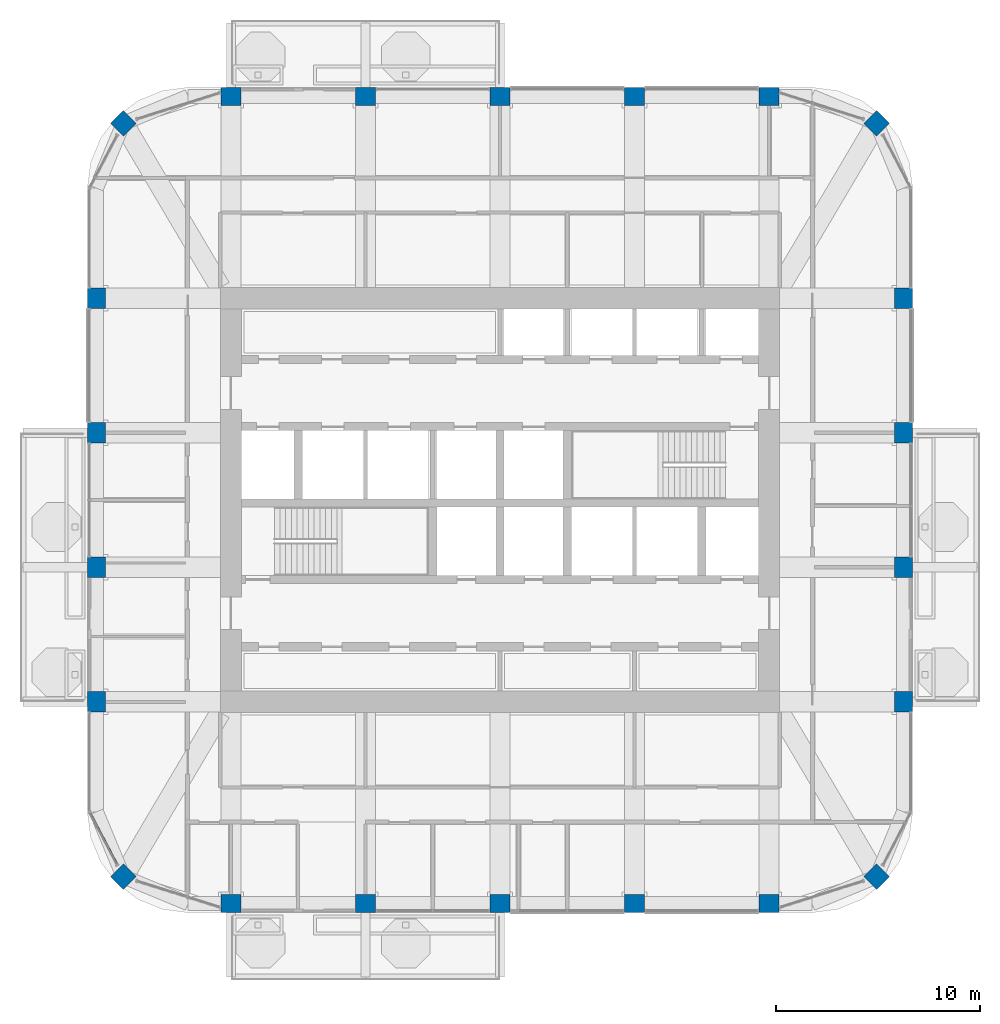
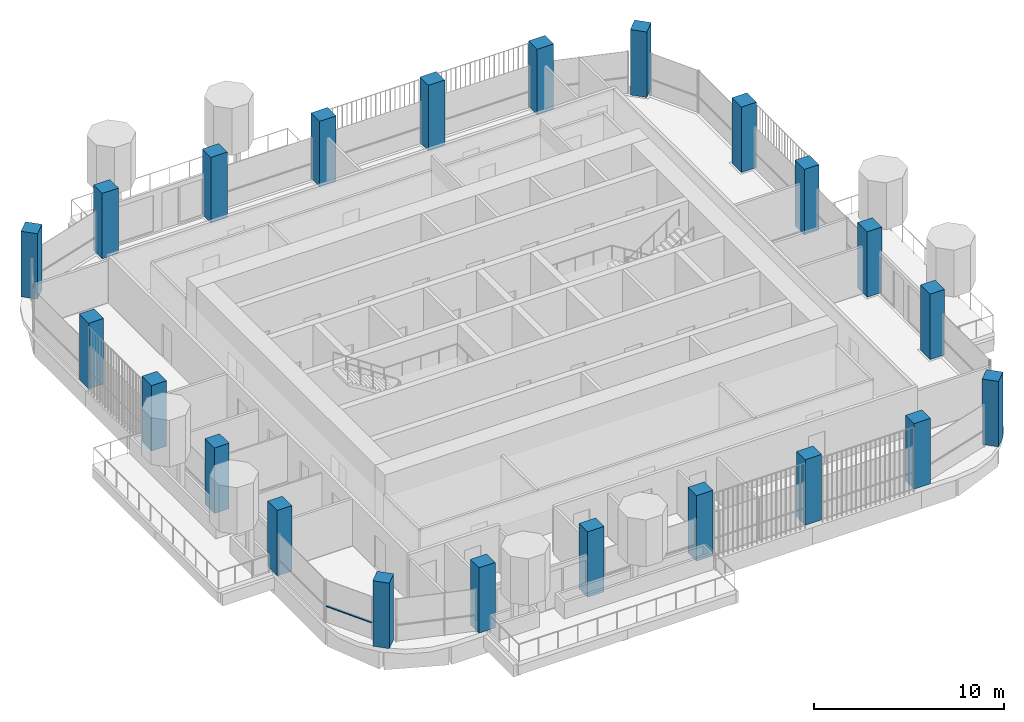
# One storey, part 1 of 19: 22 columns, 1 member, 1 element without a shape of its own.
"""IFC4 building model written with IfcOpenShell, lengths in metres."""

from ifc_helpers import new_model, si_unit, direction, frame, origin, origin_2d, place, context, subcontext, project, spatial, rectangle, extrude, material, material_profile, profile_set, type_object, element, aggregate, save


model = new_model("IFC4")

# Units and contexts
model_context = context("Model", 3, precision=1e-05, world=origin(), true_north=direction((0.0, 1.0)))
body_context = subcontext(model_context, "Body", "Model", "MODEL_VIEW")
ifc_project = project(units=[si_unit("LENGTHUNIT", "METRE"), si_unit("AREAUNIT", "SQUARE_METRE"), si_unit("VOLUMEUNIT", "CUBIC_METRE"), si_unit("PLANEANGLEUNIT", "RADIAN"), si_unit("MASSUNIT", "GRAM", prefix="KILO")], contexts=[model_context])

# Site, building, storey
site_placement = place(None, origin())
site = spatial("IfcSite", under=ifc_project, at=site_placement, CompositionType="ELEMENT")
building_placement = place(site_placement, origin())
building = spatial("IfcBuilding", under=site, at=building_placement, Name="Cobogo Forest Laboratory Tower", CompositionType="ELEMENT")
storey_placement = place(building_placement, frame((0.0, 0.0, 262.800048828125)))
storey = spatial("IfcBuildingStorey", under=building, at=storey_placement, Name="L60", CompositionType="ELEMENT", Elevation=262.800048828125)

# Columns
ifc_material_1 = material(Name="Concrete HA-50 (C50/60)", Category="concrete")
ifc_material_profile_1 = material_profile(ifc_material_1, rectangle(XDim=1.0, YDim=0.89990234375, at=origin_2d()), Name="RC 900x1000")
ifc_profile_set_1 = profile_set([ifc_material_profile_1], Name="Concrete HA-50 (C50/60)")
column_type_1 = type_object("IfcColumnType", Name="Blade column 900x1000", PredefinedType="COLUMN", material=ifc_profile_set_1)
for number, where, z_axis, x_axis, name in (
    (1, (13.199951171875, 3.300048828125, 0.0), (0.0, 0.0, 1.0), (1.0, 0.0, 0.0), "Column 3-A.1 L60"),
    (2, (19.800048828125, 3.300048828125, 0.0), (0.0, 0.0, 1.0), (1.0, 0.0, 0.0), "Column 4-A.1 L60"),
    (3, (26.39990234375, 3.300048828125, 0.0), (0.0, 0.0, 1.0), (1.0, 0.0, 0.0), "Column 5-A.1 L60"),
    (4, (33.0, 3.300048828125, 0.0), (0.0, 0.0, 1.0), (1.0, 0.0, 0.0), "Column 6-A.1 L60"),
    (5, (39.60009765625, 3.300048828125, 0.0), (0.0, 0.0, 1.0), (1.0, 0.0, 0.0), "Column 7-A.1 L60"),
    (6, (6.60009765625, 13.199951171875, 0.0), (0.0, 0.0, 1.0), (0.0, 1.0, 0.0), "Column 2-C L60"),
    (7, (46.199951171875, 13.199951171875, 0.0), (0.0, 0.0, 1.0), (0.0, 1.0, 0.0), "Column 8-C L60"),
    (8, (6.60009765625, 19.800048828125, 0.0), (0.0, 0.0, 1.0), (0.0, 1.0, 0.0), "Column 2-D L60"),
    (9, (46.199951171875, 19.800048828125, 0.0), (0.0, 0.0, 1.0), (0.0, 1.0, 0.0), "Column 8-D L60"),
    (10, (6.60009765625, 26.39990234375, 0.0), (0.0, 0.0, 1.0), (0.0, 1.0, 0.0), "Column 2-E L60"),
    (11, (46.199951171875, 26.39990234375, 0.0), (0.0, 0.0, 1.0), (0.0, 1.0, 0.0), "Column 8-E L60"),
    (12, (6.60009765625, 33.0, 0.0), (0.0, 0.0, 1.0), (0.0, 1.0, 0.0), "Column 2-F L60"),
    (13, (46.199951171875, 33.0, 0.0), (0.0, 0.0, 1.0), (0.0, 1.0, 0.0), "Column 8-F L60"),
    (14, (13.199951171875, 42.89990234375, 0.0), (0.0, 0.0, 1.0), (1.0, 0.0, 0.0), "Column 3-G.1 L60"),
    (15, (19.800048828125, 42.89990234375, 0.0), (0.0, 0.0, 1.0), (1.0, 0.0, 0.0), "Column 4-G.1 L60"),
    (16, (26.39990234375, 42.89990234375, 0.0), (0.0, 0.0, 1.0), (1.0, 0.0, 0.0), "Column 5-G.1 L60"),
    (17, (33.0, 42.89990234375, 0.0), (0.0, 0.0, 1.0), (1.0, 0.0, 0.0), "Column 6-G.1 L60"),
    (18, (39.60009765625, 42.89990234375, 0.0), (0.0, 0.0, 1.0), (1.0, 0.0, 0.0), "Column 7-G.1 L60"),
):
    element("IfcColumn", number, at=place(storey_placement, frame(where, z_axis=z_axis, x_axis=x_axis)), inside=storey, type_object=column_type_1, Name=name, PredefinedType="COLUMN", context=body_context, shape_type="SweptSolid", body=[
        extrude(rectangle(XDim=1.0, YDim=0.89990234375, at=origin_2d()), origin(), (0.0, 0.0, 1.0), 4.199951171875),
    ])
ifc_material_profile_2 = material_profile(ifc_material_1, rectangle(XDim=0.89990234375, YDim=0.89990234375, at=origin_2d()), Name="RC 900x900")
ifc_profile_set_2 = profile_set([ifc_material_profile_2], Name="Concrete HA-50 (C50/60)")
column_type_2 = type_object("IfcColumnType", Name="Column 900x900", PredefinedType="COLUMN", material=ifc_profile_set_2)
for number, where, z_axis, x_axis, name in (
    (19, (7.91796875, 4.617919921875, 0.0), (0.0, 0.0, 1.0), (0.707106781187, 0.707106781187, 0.0), "Column CNR-SW L60"),
    (20, (44.882080078125, 4.617919921875, 0.0), (0.0, 0.0, 1.0), (0.707106781187, 0.707106781187, 0.0), "Column CNR-SE L60"),
    (21, (7.91796875, 41.58203125, 0.0), (0.0, 0.0, 1.0), (0.707106781187, 0.707106781187, 0.0), "Column CNR-NW L60"),
    (22, (44.882080078125, 41.58203125, 0.0), (0.0, 0.0, 1.0), (0.707106781187, 0.707106781187, 0.0), "Column CNR-NE L60"),
):
    element("IfcColumn", number, at=place(storey_placement, frame(where, z_axis=z_axis, x_axis=x_axis)), inside=storey, type_object=column_type_2, Name=name, PredefinedType="COLUMN", context=body_context, shape_type="SweptSolid", body=[
        extrude(rectangle(XDim=0.89990234375, YDim=0.89990234375, at=origin_2d()), origin(), (0.0, 0.0, 1.0), 4.199951171875),
    ])

# Curtain wall, member
ifc_material_2 = material(Name="Aluminium curtain wall", Category="aluminium")
curtain_wall_type = type_object("IfcCurtainWallType", Name="CW-2 unitised curtain wall, solar control glazing, laboratory floors zones C and D", PredefinedType="USERDEFINED", material=ifc_material_2)
curtain_wall_placement = place(storey_placement, origin())
curtain_wall = element("IfcCurtainWall", 23, at=curtain_wall_placement, inside=storey, type_object=curtain_wall_type, Name="Curtain wall 25 L60", ObjectType="UNITISED CURTAIN WALL", PredefinedType="USERDEFINED")
ifc_material_3 = material(Name="Aluminium transom", Category="aluminium")
ifc_material_profile_3 = material_profile(ifc_material_3, rectangle(XDim=0.1201171875, YDim=0.06005859375, at=origin_2d()), Name="AL 60x120")
ifc_profile_set_3 = profile_set([ifc_material_profile_3], Name="Aluminium transom")
member_type = type_object("IfcMemberType", Name="TR-1 aluminium transom 60x120", PredefinedType="USERDEFINED", material=ifc_profile_set_3)
member_placement = place(storey_placement, frame((6.27783203125, 7.746826171875, 1.050048828125), z_axis=(0.46430944806, -0.885673041501, 0.0), x_axis=(0.885673041501, 0.46430944806, 0.0)))
member = element("IfcMember", 24, at=member_placement, type_object=member_type, Name="CW-2 transom 1.1", ObjectType="TRANSOM", PredefinedType="USERDEFINED", context=body_context, shape_type="SweptSolid", body=[
    extrude(rectangle(XDim=0.1201171875, YDim=0.06005859375, at=origin_2d()), origin(), (0.0, 0.0, 1.0), 2.865234375),
])
aggregate(curtain_wall, [member])

save(model, "model.ifc")
